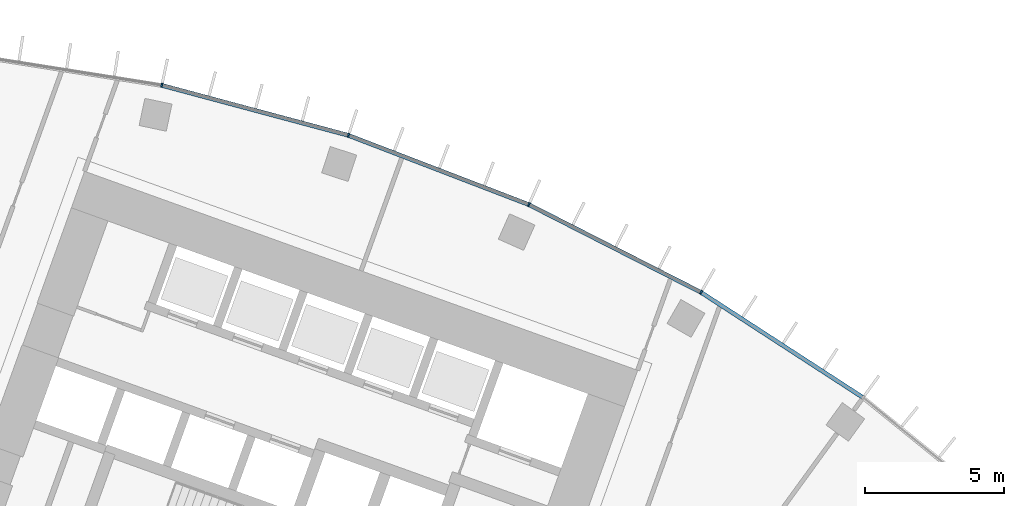
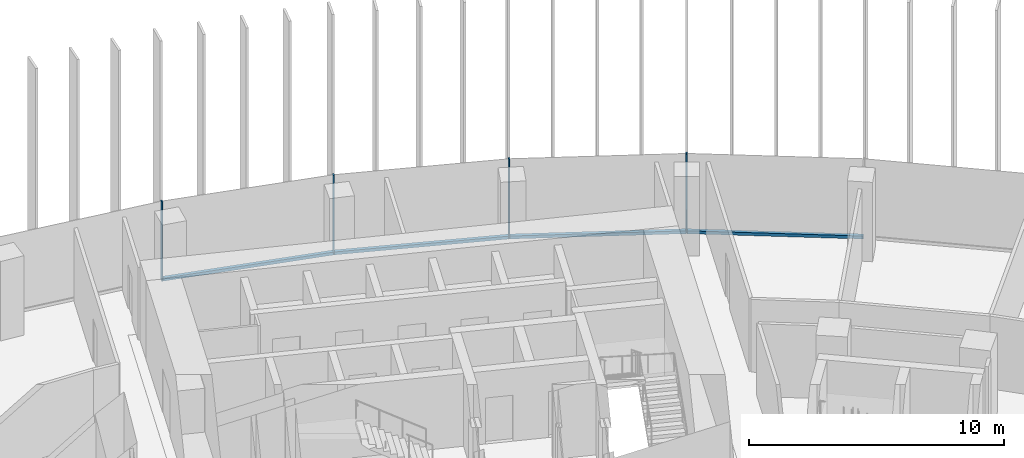
# One storey, part 11 of 23: 8 members, 1 element without a shape of its own.
"""IFC4 building model written with IfcOpenShell, lengths in metres."""

from ifc_helpers import new_model, si_unit, direction, frame, origin, origin_2d, place, context, subcontext, project, spatial, rectangle, extrude, material, layer, layer_set, material_profile, profile_set, type_object, element, aggregate, save


model = new_model("IFC4")

# Units and contexts
model_context = context("Model", 3, precision=1e-05, world=origin(), true_north=direction((0.0, 1.0)))
body_context = subcontext(model_context, "Body", "Model", "MODEL_VIEW")
ifc_project = project(units=[si_unit("LENGTHUNIT", "METRE"), si_unit("AREAUNIT", "SQUARE_METRE"), si_unit("VOLUMEUNIT", "CUBIC_METRE"), si_unit("PLANEANGLEUNIT", "RADIAN"), si_unit("MASSUNIT", "GRAM", prefix="KILO")], contexts=[model_context])

# Site, building, storey
site_placement = place(None, origin())
site = spatial("IfcSite", under=ifc_project, at=site_placement, CompositionType="ELEMENT")
building_placement = place(site_placement, origin())
building = spatial("IfcBuilding", under=site, at=building_placement, Name="Stone Belt Terrace Tower", CompositionType="ELEMENT")
storey_placement = place(building_placement, frame((0.0, 0.0, 144.0)))
storey = spatial("IfcBuildingStorey", under=building, at=storey_placement, Name="L34", CompositionType="ELEMENT", Elevation=144.0)

# Curtain wall, members
ifc_material = material(Name="Aluminium 6063-T6 anodised frame", Category="aluminium")
ifc_layer = layer(ifc_material, 0.14990234375)
ifc_layer_set = layer_set([ifc_layer], Name="CW-A unitised convex-face curtain wall")
curtain_wall_type = type_object("IfcCurtainWallType", Name="CW-A unitised convex-face curtain wall", PredefinedType="NOTDEFINED", material=ifc_layer_set)
curtain_wall_placement = place(storey_placement, origin())
curtain_wall = element("IfcCurtainWall", 1, at=curtain_wall_placement, inside=storey, type_object=curtain_wall_type, Name="CW-A convex face L34", PredefinedType="NOTDEFINED")
ifc_material_profile_1 = material_profile(ifc_material, rectangle(XDim=0.14990234375, YDim=0.06005859375, at=origin_2d()), Name="Aluminium 6063-T6 60x150")
ifc_profile_set_1 = profile_set([ifc_material_profile_1], Name="Aluminium 6063-T6 anodised frame")
member_type_1 = type_object("IfcMemberType", Name="CW-A mullion 60 x 150", PredefinedType="MULLION", material=ifc_profile_set_1)
member_1_placement = place(storey_placement, frame((33.28759765625, 57.65576171875, 0.0), z_axis=(0.0, 0.0, 1.0), x_axis=(-0.5, -0.866025403784, 0.0)))
member_1 = element("IfcMember", 2, at=member_1_placement, type_object=member_type_1, Name="CW-A mullion 4", PredefinedType="MULLION", context=body_context, shape_type="SweptSolid", body=[
    extrude(rectangle(XDim=0.14990234375, YDim=0.06005859375, at=origin_2d()), origin(), (0.0, 0.0, 1.0), 3.800048828125),
])
member_2_placement = place(storey_placement, frame((27.07861328125, 60.8193359375, 0.0), z_axis=(0.0, 0.0, 1.0), x_axis=(-0.406736643076, -0.913545457643, 0.0)))
member_2 = element("IfcMember", 3, at=member_2_placement, type_object=member_type_1, Name="CW-A mullion 5", PredefinedType="MULLION", context=body_context, shape_type="SweptSolid", body=[
    extrude(rectangle(XDim=0.14990234375, YDim=0.06005859375, at=origin_2d()), origin(), (0.0, 0.0, 1.0), 3.800048828125),
])
member_3_placement = place(storey_placement, frame((20.57275390625, 63.316650390625, 0.0), z_axis=(0.0, 0.0, 1.0), x_axis=(-0.309016994375, -0.951056516295, 0.0)))
member_3 = element("IfcMember", 4, at=member_3_placement, type_object=member_type_1, Name="CW-A mullion 6", PredefinedType="MULLION", context=body_context, shape_type="SweptSolid", body=[
    extrude(rectangle(XDim=0.14990234375, YDim=0.06005859375, at=origin_2d()), origin(), (0.0, 0.0, 1.0), 3.800048828125),
])
member_4_placement = place(storey_placement, frame((13.841796875, 65.120361328125, 0.0), z_axis=(0.0, 0.0, 1.0), x_axis=(-0.207911690818, -0.978147600734, 0.0)))
member_4 = element("IfcMember", 5, at=member_4_placement, type_object=member_type_1, Name="CW-A mullion 7", PredefinedType="MULLION", context=body_context, shape_type="SweptSolid", body=[
    extrude(rectangle(XDim=0.14990234375, YDim=0.06005859375, at=origin_2d()), origin(), (0.0, 0.0, 1.0), 3.800048828125),
])
ifc_material_profile_2 = material_profile(ifc_material, rectangle(XDim=0.14990234375, YDim=0.139892578125, at=origin_2d()), Name="Aluminium 6063-T6 150x140")
ifc_profile_set_2 = profile_set([ifc_material_profile_2], Name="Aluminium 6063-T6 anodised frame")
member_type_2 = type_object("IfcMemberType", Name="CW-A transom 140 x 150", PredefinedType="USERDEFINED", material=ifc_profile_set_2)
member_5_placement = place(storey_placement, frame((39.103515625, 53.87890625, 0.070068359375), z_axis=(-0.83868440714, 0.544617723931, 0.0), x_axis=(-0.544617723931, -0.83868440714, 0.0)))
member_5 = element("IfcMember", 6, at=member_5_placement, type_object=member_type_2, Name="CW-A transom 3.1", ObjectType="TRANSOM", PredefinedType="USERDEFINED", context=body_context, shape_type="SweptSolid", body=[
    extrude(rectangle(XDim=0.14990234375, YDim=0.139892578125, at=origin_2d()), origin(), (0.0, 0.0, 1.0), 6.90087890625),
])
member_6_placement = place(storey_placement, frame((33.25732421875, 57.671142578125, 0.070068359375), z_axis=(-0.891012226264, 0.453979308613, 0.0), x_axis=(-0.453979308613, -0.891012226264, 0.0)))
member_6 = element("IfcMember", 7, at=member_6_placement, type_object=member_type_2, Name="CW-A transom 4.1", ObjectType="TRANSOM", PredefinedType="USERDEFINED", context=body_context, shape_type="SweptSolid", body=[
    extrude(rectangle(XDim=0.14990234375, YDim=0.139892578125, at=origin_2d()), origin(), (0.0, 0.0, 1.0), 6.90087890625),
])
member_7_placement = place(storey_placement, frame((27.046875, 60.83154296875, 0.070068359375), z_axis=(-0.933585210269, 0.358355487146, 0.0), x_axis=(-0.358355487146, -0.933585210269, 0.0)))
member_7 = element("IfcMember", 8, at=member_7_placement, type_object=member_type_2, Name="CW-A transom 5.1", ObjectType="TRANSOM", PredefinedType="USERDEFINED", context=body_context, shape_type="SweptSolid", body=[
    extrude(rectangle(XDim=0.14990234375, YDim=0.139892578125, at=origin_2d()), origin(), (0.0, 0.0, 1.0), 6.900634765625),
])
member_8_placement = place(storey_placement, frame((20.5400390625, 63.325439453125, 0.070068359375), z_axis=(-0.965921835863, 0.258833937117, 0.0), x_axis=(-0.258833937117, -0.965921835863, 0.0)))
member_8 = element("IfcMember", 9, at=member_8_placement, type_object=member_type_2, Name="CW-A transom 6.1", ObjectType="TRANSOM", PredefinedType="USERDEFINED", context=body_context, shape_type="SweptSolid", body=[
    extrude(rectangle(XDim=0.14990234375, YDim=0.139892578125, at=origin_2d()), origin(), (0.0, 0.0, 1.0), 6.900634765625),
])
aggregate(curtain_wall, [member_1, member_2, member_3, member_4, member_5, member_6, member_7, member_8])

save(model, "model.ifc")
